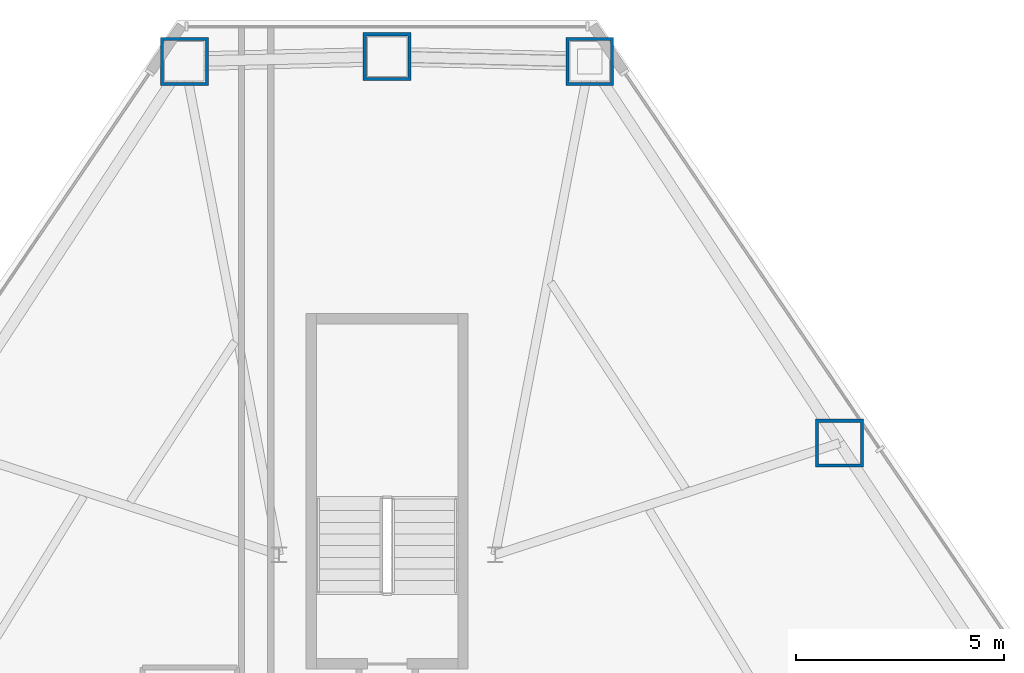
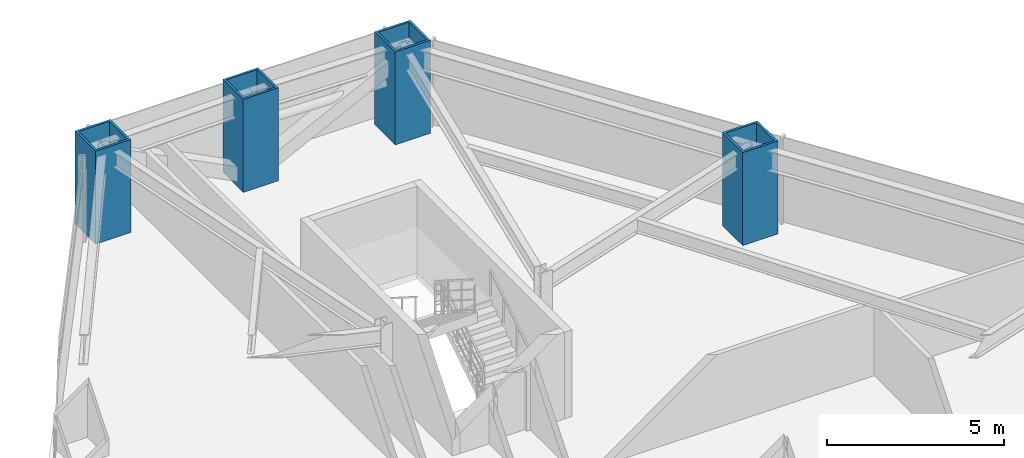
# One storey, part 3 of 12: 4 columns.
"""IFC4 building model written with IfcOpenShell, lengths in metres."""

import ifcopenshell
import ifcopenshell.guid

model = None  # the IFC model being written
_history = None  # IfcOwnerHistory: only IFC2X3 demands one
_inside = {}  # id of a spatial element -> (the spatial element, [elements in it])
_under = {}  # id of a project, library or spatial element -> (it, [spatial elements below it])
_declared = {}  # id of a project -> (the project, [libraries it declares])
_typed = {}  # id of a type object -> (the type object, [elements of that type])
_made_of = {}  # id of a material, layer set ... -> (it, [elements and type objects made of it])


def new_model(schema):
    """Start an empty IFC model of exactly this schema.

    Asked for "IFC4X3", IfcOpenShell would pick the latest addendum, in which some entities
    have other attributes; the version numbers below select the first issue.
    IFC2X3 requires an IfcOwnerHistory on every rooted entity: one is made here for all.
    """
    global model, _history
    if schema == "IFC4X3":
        model = ifcopenshell.file(schema_version=(4, 3, 0, 0))
    else:
        model = ifcopenshell.file(schema=schema)
    _inside.clear()
    _under.clear()
    _declared.clear()
    _typed.clear()
    _made_of.clear()
    _history = None
    if model.schema == "IFC2X3":
        org = make("IfcOrganization", Name="unknown")
        user = make(
            "IfcPersonAndOrganization",
            ThePerson=make("IfcPerson", FamilyName="unknown"),
            TheOrganization=org,
        )
        app = make(
            "IfcApplication",
            ApplicationDeveloper=org,
            Version="unknown",
            ApplicationFullName="unknown",
            ApplicationIdentifier="unknown",
        )
        _history = make(
            "IfcOwnerHistory",
            OwningUser=user,
            OwningApplication=app,
            ChangeAction="ADDED",
            CreationDate=0,
        )
    return model


def make(cls, **values):
    """One entity of the class cls with the attributes given. An attribute that is None is left unset."""
    return model.create_entity(
        cls, **{name: value for name, value in values.items() if value is not None}
    )


def rooted(cls, **values):
    """An entity with a GlobalId (a new one), such as an element, a storey or a relation."""
    return make(cls, GlobalId=ifcopenshell.guid.new(), OwnerHistory=_history, **values)


def si_unit(unit_type, name, prefix=None):
    """IfcSIUnit, for example si_unit("LENGTHUNIT", "METRE", prefix="MILLI")."""
    return make("IfcSIUnit", UnitType=unit_type, Prefix=prefix, Name=name)


def assignment(units):
    """IfcUnitAssignment: the units of a project."""
    return None if units is None else make("IfcUnitAssignment", Units=units)


def point(xyz):
    """IfcCartesianPoint."""
    return None if xyz is None else make("IfcCartesianPoint", Coordinates=xyz)


def direction(xyz):
    """IfcDirection."""
    return None if xyz is None else make("IfcDirection", DirectionRatios=xyz)


def frame(location, z_axis=None, x_axis=None):
    """IfcAxis2Placement3D, a coordinate frame: its origin and axes. An axis left out is left unset."""
    return make(
        "IfcAxis2Placement3D",
        Location=point(location),
        Axis=direction(z_axis),
        RefDirection=direction(x_axis),
    )


def frame_2d(location, x_axis=None):
    """IfcAxis2Placement2D, a coordinate frame in the plane: its origin and x axis."""
    return make(
        "IfcAxis2Placement2D", Location=point(location), RefDirection=direction(x_axis)
    )


def origin():
    """The frame at (0, 0, 0) with its axes left unset."""
    return frame((0.0, 0.0, 0.0))


def origin_2d():
    """The frame at (0, 0) in the plane with its x axis left unset."""
    return frame_2d((0.0, 0.0))


def place(relative_to, where):
    """IfcLocalPlacement: puts the frame where relative to a parent placement (None: the world)."""
    return make(
        "IfcLocalPlacement", PlacementRelTo=relative_to, RelativePlacement=where
    )


def context(
    kind, dimensions, precision=None, world=None, true_north=None, identifier=None
):
    """IfcGeometricRepresentationContext, for example the 3D "Model" context."""
    return make(
        "IfcGeometricRepresentationContext",
        ContextIdentifier=identifier,
        ContextType=kind,
        CoordinateSpaceDimension=dimensions,
        Precision=precision,
        WorldCoordinateSystem=world,
        TrueNorth=true_north,
    )


def subcontext(parent, identifier, kind, view, scale=None):
    """IfcGeometricRepresentationSubContext, for example "Body" below "Model"."""
    return make(
        "IfcGeometricRepresentationSubContext",
        ContextIdentifier=identifier,
        ContextType=kind,
        ParentContext=parent,
        TargetScale=scale,
        TargetView=view,
    )


def project(units=None, contexts=None):
    """IfcProject with its units and contexts."""
    return rooted(
        "IfcProject",
        Name="project",
        RepresentationContexts=contexts,
        UnitsInContext=assignment(units),
    )


def spatial(cls, under=None, at=None, **own):
    """A site, building, storey or space (cls), placed at a placement, below another one or the project."""
    s = rooted(cls, ObjectPlacement=at, **own)
    if under is not None:
        _under.setdefault(under.id(), (under, []))[1].append(s)
    return s


def profile(cls, at=None, kind="AREA", **sizes):
    """A parametric profile (cls). Its sizes go by their IFC names, for example OverallWidth=200.0."""
    return make(cls, ProfileType=kind, Position=at, **sizes)


def hollow_rectangle(**sizes):
    """IfcRectangleHollowProfileDef."""
    return profile("IfcRectangleHollowProfileDef", **sizes)


def extrude(swept, where, along, depth):
    """IfcExtrudedAreaSolid: the profile swept, set in the frame where, extruded along a direction by depth."""
    return make(
        "IfcExtrudedAreaSolid",
        SweptArea=swept,
        Position=where,
        ExtrudedDirection=direction(along),
        Depth=depth,
    )


def shape(context_of_items, identifier, shape_type, items):
    """IfcShapeRepresentation: the items that make up one representation, for example the "Body"."""
    return make(
        "IfcShapeRepresentation",
        ContextOfItems=context_of_items,
        RepresentationIdentifier=identifier,
        RepresentationType=shape_type,
        Items=items,
    )


def material(Name=None, Category=None):
    """IfcMaterial."""
    return make("IfcMaterial", Name=Name, Category=Category)


def material_profile(
    of_material, cross_section, Name=None, Category=None, Priority=None
):
    """IfcMaterialProfile: a cross section and its material."""
    return make(
        "IfcMaterialProfile",
        Name=Name,
        Material=of_material,
        Profile=cross_section,
        Priority=Priority,
        Category=Category,
    )


def profile_set(profiles, Name=None, composite=None):
    """IfcMaterialProfileSet."""
    return make(
        "IfcMaterialProfileSet",
        Name=Name,
        MaterialProfiles=profiles,
        CompositeProfile=composite,
    )


def made_of(thing, what):
    """Note that an element or type object is made of a material, layer set ...; save() writes the relation."""
    if what is not None:
        _made_of.setdefault(what.id(), (what, []))[1].append(thing)
    return thing


def type_object(cls, material=None, **own):
    """A type object (cls), such as IfcWallType, which elements share."""
    return made_of(rooted(cls, **own), material)


def element(
    cls,
    number,
    at=None,
    inside=None,
    cuts=None,
    type_object=None,
    material=None,
    context=None,
    identifier="Body",
    shape_type=None,
    held_by="IfcProductDefinitionShape",
    body=None,
    shapes=None,
    **own,
):
    """One element of the class cls, such as IfcWall. Its Tag is "e" and its number.

    at: its placement. inside: the storey or other place that contains it. cuts: it is an
    opening in that element (IfcRelVoidsElement). A single representation is given by context,
    identifier, shape_type and body (its items); several are given by shapes. held_by: the class
    of the entity that holds the representations. save() writes the other relations.
    """
    e = rooted(cls, Tag="e%d" % number, ObjectPlacement=at, **own)
    if body is not None:
        shapes = [shape(context, identifier, shape_type, body)]
    if shapes is not None:
        e.Representation = make(held_by, Representations=shapes)
    if inside is not None:
        _inside.setdefault(inside.id(), (inside, []))[1].append(e)
    if cuts is not None:
        rooted(
            "IfcRelVoidsElement", RelatingBuildingElement=cuts, RelatedOpeningElement=e
        )
    if type_object is not None:
        _typed.setdefault(type_object.id(), (type_object, []))[1].append(e)
    return made_of(e, material)


def aggregate(whole, parts):
    """IfcRelAggregates: a whole, such as a stair, and the parts it consists of."""
    return rooted("IfcRelAggregates", RelatingObject=whole, RelatedObjects=parts)


def save(model, path):
    """Write the relations noted so far, then the file.

    IfcRelAggregates (storeys below a building ...), IfcRelContainedInSpatialStructure (elements
    in a storey), IfcRelDefinesByType, IfcRelAssociatesMaterial and IfcRelDeclares: one each for
    every whole, place, type object, material and project.
    """
    for whole, parts in _under.values():
        aggregate(whole, parts)
    for where, things in _inside.values():
        rooted(
            "IfcRelContainedInSpatialStructure",
            RelatedElements=things,
            RelatingStructure=where,
        )
    for kind, things in _typed.values():
        rooted("IfcRelDefinesByType", RelatedObjects=things, RelatingType=kind)
    for what, things in _made_of.values():
        rooted("IfcRelAssociatesMaterial", RelatedObjects=things, RelatingMaterial=what)
    for by, libraries in _declared.values():
        rooted("IfcRelDeclares", RelatingContext=by, RelatedDefinitions=libraries)
    model.write(path)


model = new_model("IFC4")

# Units and contexts
model_context = context("Model", 3, precision=1e-05, world=origin(), true_north=direction((0.0, 1.0)))
body_context = subcontext(model_context, "Body", "Model", "MODEL_VIEW")
ifc_project = project(units=[si_unit("LENGTHUNIT", "METRE"), si_unit("AREAUNIT", "SQUARE_METRE"), si_unit("VOLUMEUNIT", "CUBIC_METRE"), si_unit("PLANEANGLEUNIT", "RADIAN"), si_unit("MASSUNIT", "GRAM", prefix="KILO")], contexts=[model_context])

# Site, building, storey
site_placement = place(None, origin())
site = spatial("IfcSite", under=ifc_project, at=site_placement, CompositionType="ELEMENT")
building_placement = place(site_placement, origin())
building = spatial("IfcBuilding", under=site, at=building_placement, Name="Varakhsha Concourse Tower", CompositionType="ELEMENT")
storey_placement = place(building_placement, frame((0.0, 0.0, 56.0)))
storey = spatial("IfcBuildingStorey", under=building, at=storey_placement, Name="L15", CompositionType="ELEMENT", Elevation=56.0)

# Columns
ifc_material = material(Name="Structural Steel ASTM A572 Grade 50", Category="steel")
ifc_material_profile = material_profile(ifc_material, hollow_rectangle(XDim=1.14990234375, YDim=1.14990234375, WallThickness=0.074951171875, at=origin_2d()), Name="BOX 1150x1150x75")
ifc_profile_set = profile_set([ifc_material_profile], Name="Structural Steel ASTM A572 Grade 50")
column_type = type_object("IfcColumnType", Name="CL-TUBE-1150", PredefinedType="COLUMN", material=ifc_profile_set)
for number, where, z_axis, x_axis, name in (
    (1, (44.87451171875, 53.067626953125, 0.0), (0.0, 0.0, 1.0), (1.0, 0.0, 0.0), "L15 Framed-Tube Column TC01"),
    (2, (40.0, 53.185546875, 0.0), (0.0, 0.0, 1.0), (1.0, 0.0, 0.0), "L15 Framed-Tube Column TC02"),
    (3, (35.12548828125, 53.067626953125, 0.0), (0.0, 0.0, 1.0), (1.0, 0.0, 0.0), "L15 Framed-Tube Column TC03"),
    (4, (50.884033203125, 43.887451171875, 0.0), (0.0, 0.0, 1.0), (1.0, 0.0, 0.0), "L15 Framed-Tube Column TC18"),
):
    element("IfcColumn", number, at=place(storey_placement, frame(where, z_axis=z_axis, x_axis=x_axis)), inside=storey, type_object=column_type, Name=name, PredefinedType="COLUMN", context=body_context, shape_type="SweptSolid", body=[
        extrude(hollow_rectangle(XDim=1.14990234375, YDim=1.14990234375, WallThickness=0.074951171875, at=origin_2d()), origin(), (0.0, 0.0, 1.0), 3.199951171875),
    ])

save(model, "model.ifc")
